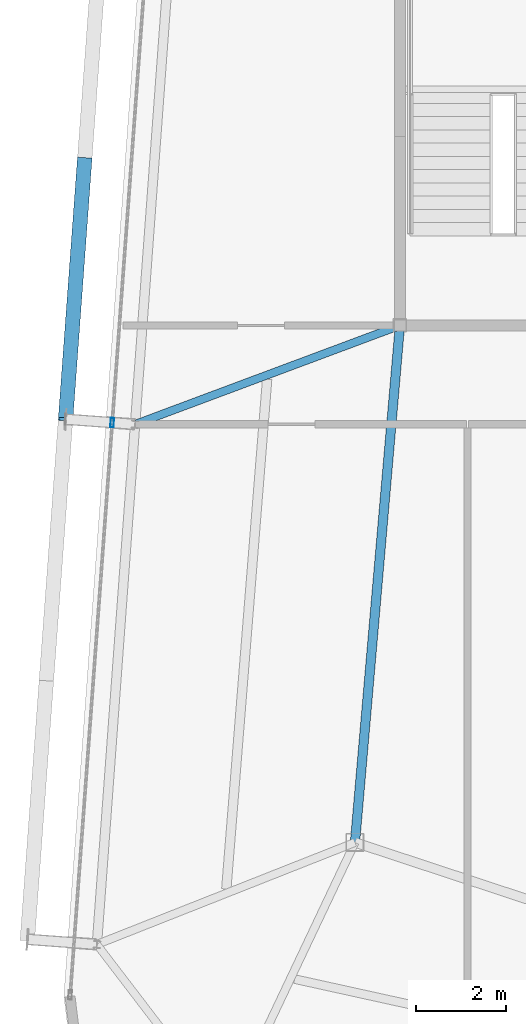
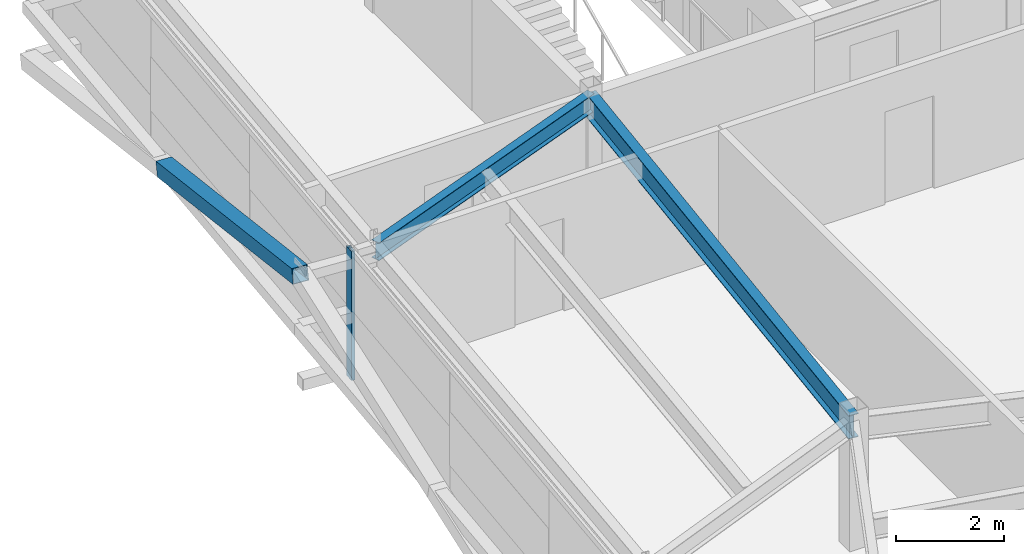
# One storey, part 15 of 39: 2 beams, 2 members, 1 element without a shape of its own.
"""IFC4 building model written with IfcOpenShell, lengths in metres."""

from ifc_helpers import new_model, si_unit, direction, frame, origin, origin_2d, place, context, subcontext, project, spatial, hollow_rectangle, i_section, extrude, source, transform, mapped, material, layer, layer_set, material_profile, profile_set, type_object, element, aggregate, save


model = new_model("IFC4")

# Units and contexts
model_context = context("Model", 3, precision=1e-05, world=origin(), true_north=direction((0.0, 1.0)))
body_context = subcontext(model_context, "Body", "Model", "MODEL_VIEW")
ifc_project = project(units=[si_unit("LENGTHUNIT", "METRE"), si_unit("AREAUNIT", "SQUARE_METRE"), si_unit("VOLUMEUNIT", "CUBIC_METRE"), si_unit("PLANEANGLEUNIT", "RADIAN"), si_unit("MASSUNIT", "GRAM", prefix="KILO")], contexts=[model_context])

# Site, building, storey
site_placement = place(None, origin())
site = spatial("IfcSite", under=ifc_project, at=site_placement, CompositionType="ELEMENT")
building_placement = place(site_placement, origin())
building = spatial("IfcBuilding", under=site, at=building_placement, Name="Taldren Reach Tower", CompositionType="ELEMENT")
storey_placement = place(building_placement, frame((0.0, 0.0, 230.300048828125)))
storey = spatial("IfcBuildingStorey", under=building, at=storey_placement, Name="L70", CompositionType="ELEMENT", Elevation=230.300048828125)

# Beams
ifc_material_1 = material(Name="Steel Gr 350 (350PLUS)", Category="steel")
ifc_material_profile_1 = material_profile(ifc_material_1, i_section(OverallWidth=0.208984375, OverallDepth=0.532958984375, WebThickness=0.01025390625, FlangeThickness=0.015625, at=origin_2d()), Name="530UB92.4")
ifc_profile_set_1 = profile_set([ifc_material_profile_1], Name="Steel Gr 350 (350PLUS)")
beam_type_1 = type_object("IfcBeamType", Name="BM-UB530A", PredefinedType="BEAM", material=ifc_profile_set_1)
shared_shape_1 = source(origin(), body_context, "Body", "SweptSolid", [
    extrude(i_section(OverallWidth=0.208984375, OverallDepth=0.532958984375, WebThickness=0.01025390625, FlangeThickness=0.015625, at=origin_2d()), origin(), (0.0, 0.0, 1.0), 11.54345703125),
])
beam_1_placement = place(storey_placement, frame((19.0, 24.0, 2.663330078125), z_axis=(-0.086629616365, -0.996240588196, 0.0), x_axis=(0.996240588196, -0.086629616365, 0.0)))
element("IfcBeam", 1, at=beam_1_placement, inside=storey, type_object=beam_type_1, Name="Core-spine girder L70-SP09", PredefinedType="BEAM", context=body_context, shape_type="MappedRepresentation", body=[
    mapped(shared_shape_1, transform((0.0, 0.0, 0.0), scale=1.0)),
])
ifc_material_profile_2 = material_profile(ifc_material_1, i_section(OverallWidth=0.177978515625, OverallDepth=0.406005859375, WebThickness=0.0078125, FlangeThickness=0.0126953125, at=origin_2d()), Name="410UB59.7")
ifc_profile_set_2 = profile_set([ifc_material_profile_2], Name="Steel Gr 350 (350PLUS)")
beam_type_2 = type_object("IfcBeamType", Name="BM-UB410", PredefinedType="BEAM", material=ifc_profile_set_2)
shared_shape_2 = source(origin(), body_context, "Body", "SweptSolid", [
    extrude(i_section(OverallWidth=0.177978515625, OverallDepth=0.406005859375, WebThickness=0.0078125, FlangeThickness=0.0126953125, at=origin_2d()), origin(), (0.0, 0.0, 1.0), 6.28857421875),
])
beam_2_placement = place(storey_placement, frame((19.0, 24.0, 2.72705078125), z_axis=(-0.936827605945, -0.349791418904, 0.0), x_axis=(0.349791418904, -0.936827605945, 0.0)))
element("IfcBeam", 2, at=beam_2_placement, inside=storey, type_object=beam_type_2, Name="Primary floor girder B5-W2 L70", PredefinedType="BEAM", context=body_context, shape_type="MappedRepresentation", body=[
    mapped(shared_shape_2, transform((0.0, 0.0, 0.0), scale=1.0)),
])

# Member
ifc_material_2 = material(Name="Steel Gr 450 (C450L0)", Category="steel")
ifc_material_profile_3 = material_profile(ifc_material_2, hollow_rectangle(XDim=0.324951171875, YDim=0.324951171875, WallThickness=0.0126953125, at=origin_2d()), Name="325x325x12.7SHS")
ifc_profile_set_3 = profile_set([ifc_material_profile_3], Name="Steel Gr 450 (C450L0)")
member_type_1 = type_object("IfcMemberType", Name="MB-BR324", PredefinedType="BRACE", material=ifc_profile_set_3)
shared_shape_3 = source(origin(), body_context, "Body", "SweptSolid", [
    extrude(hollow_rectangle(XDim=0.324951171875, YDim=0.324951171875, WallThickness=0.0126953125, at=origin_2d()), origin(), (0.0, 0.0, 1.0), 5.92578125),
])
member_1_placement = place(storey_placement, frame((11.987548828125, 27.6982421875, 1.43505859375), z_axis=(-0.071686540919, -0.976131732187, 0.205007027365), x_axis=(0.997314185625, -0.073242167855, 0.0)))
element("IfcMember", 3, at=member_1_placement, inside=storey, type_object=member_type_1, Name="Exoskeleton Diagrid Brace B5-W2 L70", PredefinedType="BRACE", context=body_context, shape_type="MappedRepresentation", body=[
    mapped(shared_shape_3, transform((0.0, 0.0, 0.0), scale=1.0)),
])

# Curtain wall, member
ifc_material_3 = material(Name="Aluminium and Low-E Glass Unitised System", Category="aluminium")
ifc_layer = layer(ifc_material_3, 0.159912109375)
ifc_layer_set = layer_set([ifc_layer], Name="Aluminium and Low-E Glass Unitised System")
curtain_wall_type = type_object("IfcCurtainWallType", Name="CW-SYS-7", PredefinedType="NOTDEFINED", material=ifc_layer_set)
curtain_wall_placement = place(storey_placement, origin())
curtain_wall = element("IfcCurtainWall", 4, at=curtain_wall_placement, inside=storey, type_object=curtain_wall_type, Name="Unitised curtain wall CW-L70-W", PredefinedType="NOTDEFINED")
ifc_material_4 = material(Name="Anodised Aluminium 6063-T6", Category="aluminium")
ifc_material_profile_4 = material_profile(ifc_material_4, hollow_rectangle(XDim=0.074951171875, YDim=0.2099609375, WallThickness=0.00439453125, at=origin_2d()), Name="ALU-210x75x4.5RHS")
ifc_profile_set_4 = profile_set([ifc_material_profile_4], Name="Anodised Aluminium 6063-T6")
member_type_2 = type_object("IfcMemberType", Name="CW-MUL-200", PredefinedType="MULLION", material=ifc_profile_set_4)
shared_shape_4 = source(origin(), body_context, "Body", "SweptSolid", [
    extrude(hollow_rectangle(XDim=0.074951171875, YDim=0.2099609375, WallThickness=0.00439453125, at=origin_2d()), origin(), (0.0, 0.0, 1.0), 2.929931640625),
])
member_2_placement = place(storey_placement, frame((12.60009765625, 21.837646484375, 0.0), z_axis=(0.0, 0.0, 1.0), x_axis=(0.997314470951, -0.073238282558, 0.0)))
member_2 = element("IfcMember", 5, at=member_2_placement, type_object=member_type_2, Name="CW-7 mullion 2", PredefinedType="MULLION", context=body_context, shape_type="MappedRepresentation", body=[
    mapped(shared_shape_4, transform((0.0, 0.0, 0.0), scale=1.0)),
])
aggregate(curtain_wall, [member_2])

save(model, "model.ifc")
